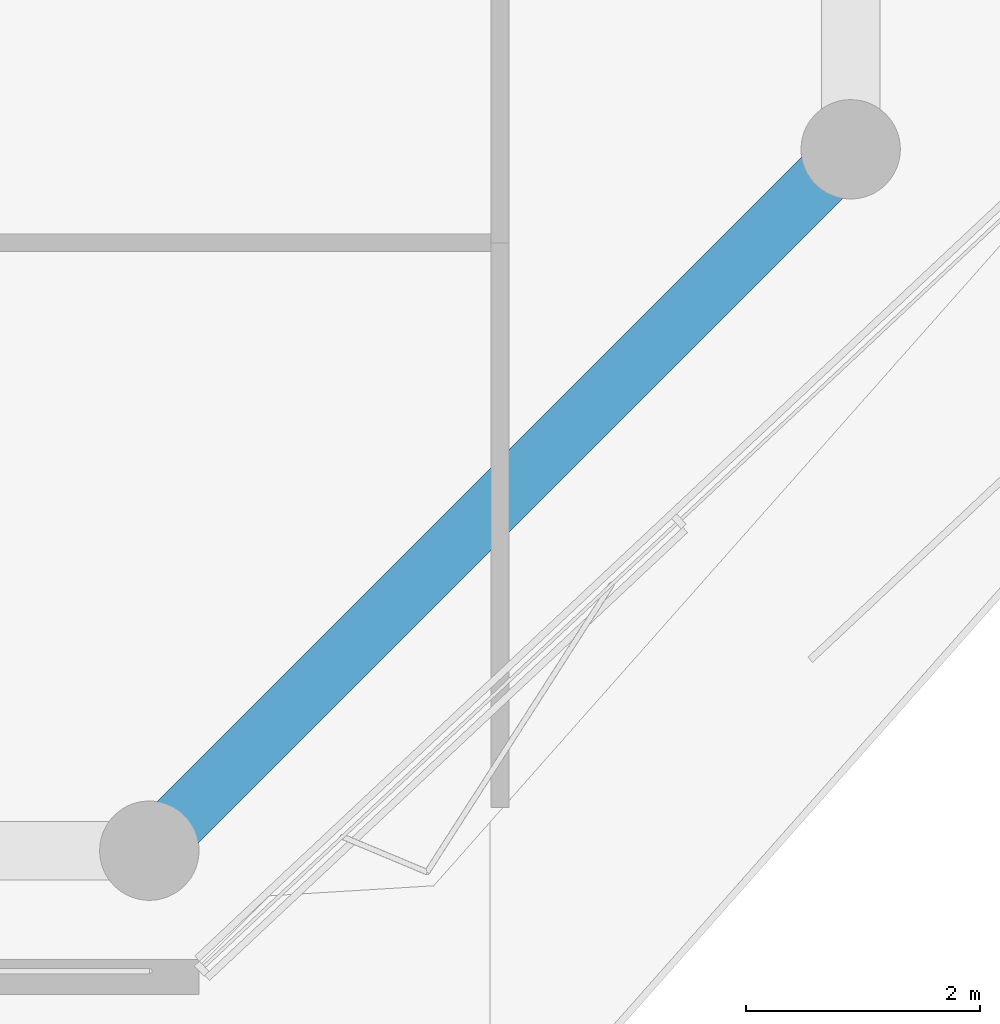
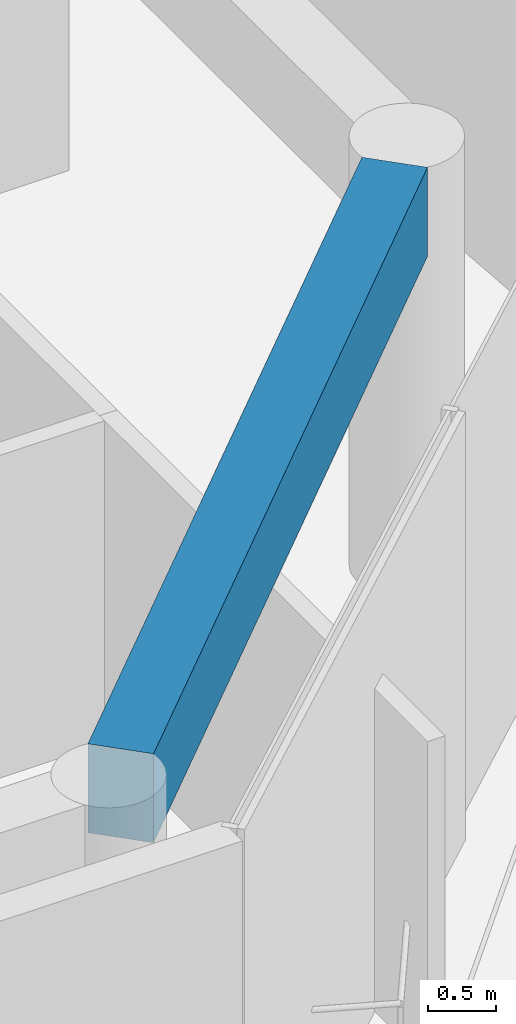
# One storey, part 3 of 21: 1 beam.
"""IFC4 building model written with IfcOpenShell, lengths in metres."""

from ifc_helpers import new_model, si_unit, direction, frame, origin, origin_2d, place, context, subcontext, project, spatial, rectangle, extrude, material, material_profile, profile_set, type_object, element, save


model = new_model("IFC4")

# Units and contexts
model_context = context("Model", 3, precision=1e-05, world=origin(), true_north=direction((0.0, 1.0)))
body_context = subcontext(model_context, "Body", "Model", "MODEL_VIEW")
ifc_project = project(units=[si_unit("LENGTHUNIT", "METRE"), si_unit("AREAUNIT", "SQUARE_METRE"), si_unit("VOLUMEUNIT", "CUBIC_METRE"), si_unit("PLANEANGLEUNIT", "RADIAN"), si_unit("MASSUNIT", "GRAM", prefix="KILO")], contexts=[model_context])

# Site, building, storey
site_placement = place(None, origin())
site = spatial("IfcSite", under=ifc_project, at=site_placement, CompositionType="ELEMENT")
building_placement = place(site_placement, origin())
building = spatial("IfcBuilding", under=site, at=building_placement, Name="Welwitschia Terrace Campus", CompositionType="ELEMENT")
storey_placement = place(building_placement, frame((0.0, 0.0, 302.0)))
storey = spatial("IfcBuildingStorey", under=building, at=storey_placement, Name="L67", CompositionType="ELEMENT", Elevation=302.0)

# Beam
ifc_material = material(Name="Concrete C50/60", Category="concrete")
ifc_material_profile = material_profile(ifc_material, rectangle(XDim=0.5, YDim=0.800048828125, at=origin_2d()))
ifc_profile_set = profile_set([ifc_material_profile], Name="Concrete C50/60")
beam_type = type_object("IfcBeamType", Name="Ring spandrel 500x800", PredefinedType="SPANDREL", material=ifc_profile_set)
beam_placement = place(storey_placement, frame((24.24365234375, -3.75634765625, 3.449951171875), z_axis=(0.707106781187, 0.707106781187, 0.0), x_axis=(-0.707106781187, 0.707106781187, 0.0)))
element("IfcBeam", 1, at=beam_placement, inside=storey, type_object=beam_type, Name="Spandrel SP4", PredefinedType="SPANDREL", context=body_context, shape_type="SweptSolid", body=[
    extrude(rectangle(XDim=0.5, YDim=0.800048828125, at=origin_2d()), origin(), (0.0, 0.0, 1.0), 7.796142578125),
])

save(model, "model.ifc")
